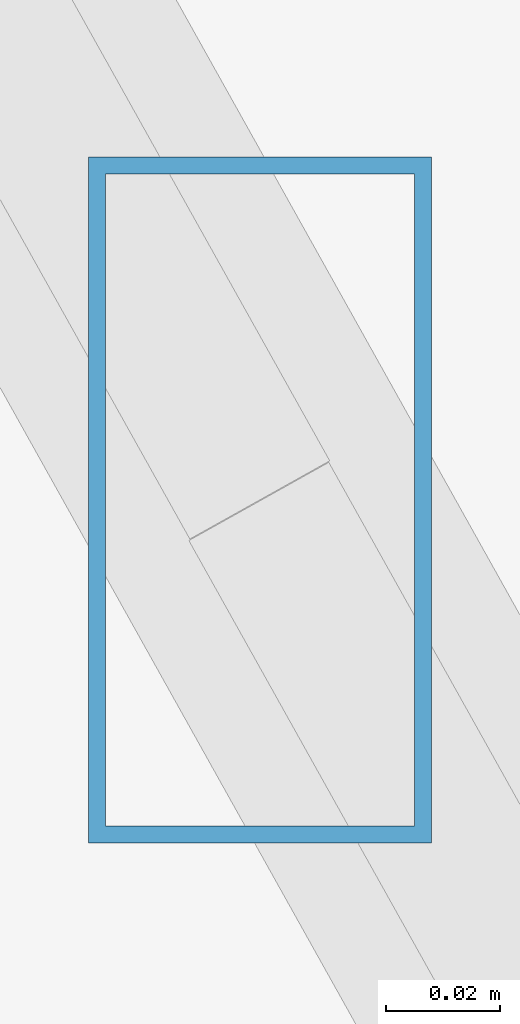
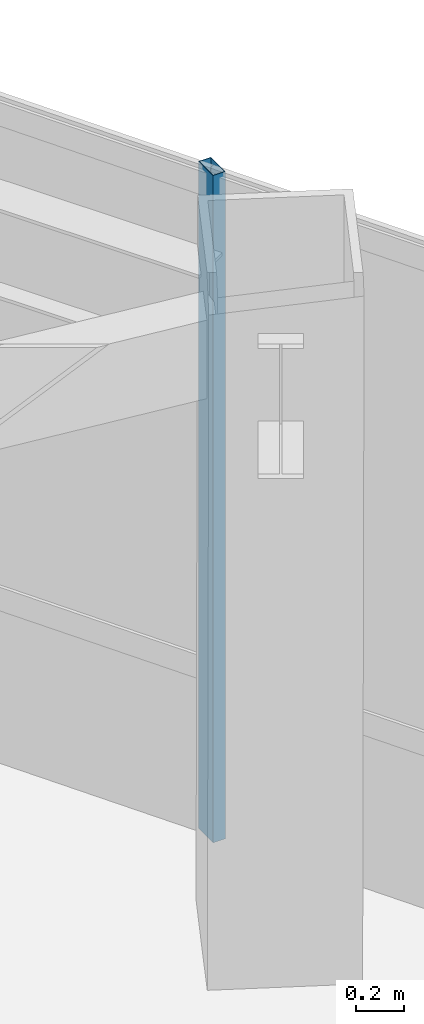
# One storey, part 23 of 45: 1 member, 1 element without a shape of its own.
"""IFC4 building model written with IfcOpenShell, lengths in metres."""

from ifc_helpers import new_model, si_unit, direction, frame, origin, origin_2d, place, context, subcontext, project, spatial, hollow_rectangle, extrude, source, transform, mapped, material, material_profile, profile_set, type_object, type_shapes, element, aggregate, save


model = new_model("IFC4")

# Units and contexts
model_context = context("Model", 3, precision=1e-05, world=origin(), true_north=direction((0.0, 1.0)))
body_context = subcontext(model_context, "Body", "Model", "MODEL_VIEW")
ifc_project = project(units=[si_unit("LENGTHUNIT", "METRE"), si_unit("AREAUNIT", "SQUARE_METRE"), si_unit("VOLUMEUNIT", "CUBIC_METRE"), si_unit("PLANEANGLEUNIT", "RADIAN"), si_unit("MASSUNIT", "GRAM", prefix="KILO")], contexts=[model_context])

# Site, building, storey
site_placement = place(None, origin())
site = spatial("IfcSite", under=ifc_project, at=site_placement, CompositionType="ELEMENT")
building_placement = place(site_placement, origin())
building = spatial("IfcBuilding", under=site, at=building_placement, Name="Caelisora Broadcast Tower", CompositionType="ELEMENT")
storey_placement = place(building_placement, frame((0.0, 0.0, 266.35009765625)))
storey = spatial("IfcBuildingStorey", under=building, at=storey_placement, Name="L70", CompositionType="ELEMENT", Elevation=266.35009765625)

# Curtain wall, member
ifc_material_1 = material(Name="Unitised Aluminium and Low-E Glass Curtain Wall", Category="glass")
curtain_wall_type = type_object("IfcCurtainWallType", Name="CW-Z5", PredefinedType="NOTDEFINED", material=ifc_material_1)
curtain_wall_placement = place(storey_placement, origin())
curtain_wall = element("IfcCurtainWall", 1, at=curtain_wall_placement, inside=storey, type_object=curtain_wall_type, Name="L70 curtain wall CW-Z5", PredefinedType="NOTDEFINED")
ifc_material_2 = material(Name="Aluminium 6063-T6 Anodised Terracotta Bronze", Category="aluminium")
ifc_material_profile = material_profile(ifc_material_2, hollow_rectangle(XDim=0.06005859375, YDim=0.1201171875, WallThickness=0.0029296875, at=origin_2d()), Name="Aluminium 6063-T6 Anodised Terracotta Bronze")
ifc_profile_set = profile_set([ifc_material_profile], Name="Aluminium 6063-T6 Anodised Terracotta Bronze")
member_type = type_object("IfcMemberType", Name="CWM-04", PredefinedType="MULLION", material=ifc_profile_set)
shared_shape = source(origin(), body_context, "Body", "SweptSolid", [
    extrude(hollow_rectangle(XDim=0.06005859375, YDim=0.1201171875, WallThickness=0.0029296875, at=origin_2d()), origin(), (0.0, 0.0, 1.0), 3.39990234375),
])
type_shapes(member_type, [shared_shape])
member_placement = place(storey_placement, frame((59.60888671875, 16.60498046875, 0.0), z_axis=(0.0, 0.0, 1.0), x_axis=(1.0, 0.0, 0.0)))
member = element("IfcMember", 2, at=member_placement, type_object=member_type, Name="L70-CW-B03 mullion #2", PredefinedType="MULLION", context=body_context, shape_type="MappedRepresentation", body=[
    mapped(shared_shape, transform((0.0, 0.0, 0.0), scale=1.0)),
])
aggregate(curtain_wall, [member])

save(model, "model.ifc")
